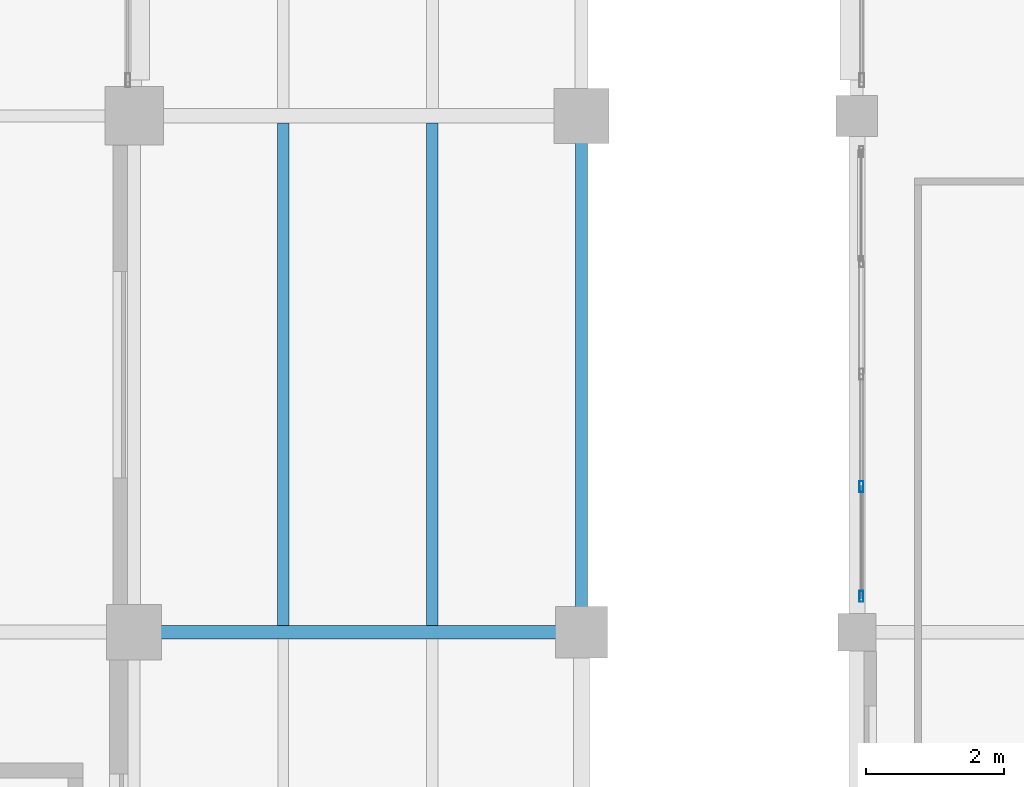
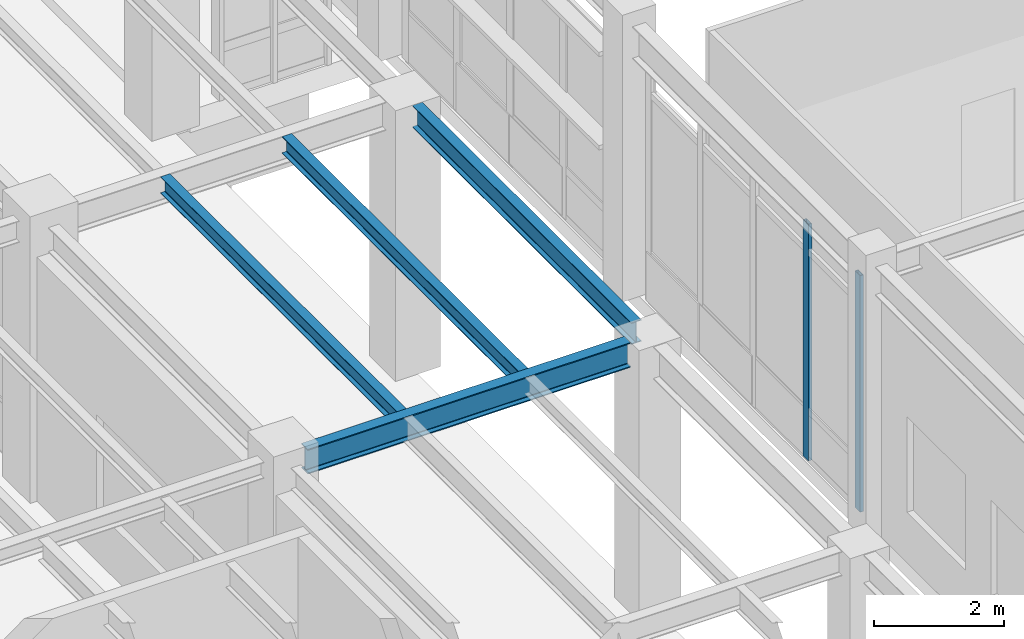
# One storey, part 106 of 203: 4 beams, 2 members, 1 element without a shape of its own.
"""IFC4 building model written with IfcOpenShell, lengths in metres."""

from ifc_helpers import new_model, si_unit, direction, frame, origin, origin_2d, place, context, subcontext, project, spatial, hollow_rectangle, i_section, extrude, material, material_profile, profile_set, type_object, element, aggregate, save


model = new_model("IFC4")

# Units and contexts
model_context = context("Model", 3, precision=1e-05, world=origin(), true_north=direction((0.0, 1.0)))
body_context = subcontext(model_context, "Body", "Model", "MODEL_VIEW")
ifc_project = project(units=[si_unit("LENGTHUNIT", "METRE"), si_unit("AREAUNIT", "SQUARE_METRE"), si_unit("VOLUMEUNIT", "CUBIC_METRE"), si_unit("PLANEANGLEUNIT", "RADIAN"), si_unit("MASSUNIT", "GRAM", prefix="KILO"), si_unit("THERMODYNAMICTEMPERATUREUNIT", "KELVIN"), si_unit("POWERUNIT", "WATT")], contexts=[model_context])

# Site, building, storey
site_placement = place(None, origin())
site = spatial("IfcSite", under=ifc_project, at=site_placement, CompositionType="ELEMENT")
building_placement = place(site_placement, origin())
building = spatial("IfcBuilding", under=site, at=building_placement, Name="Tepalcoro Natatorium and Aquatics Centre", CompositionType="ELEMENT")
storey_placement = place(building_placement, origin())
storey = spatial("IfcBuildingStorey", under=building, at=storey_placement, Name="L00", CompositionType="ELEMENT", Elevation=0.0)

# Beam
ifc_material_1 = material(Name="Steel ASTM A992 Grade 50 (Fy 345 MPa)", Category="steel")
ifc_material_profile_1 = material_profile(ifc_material_1, i_section(OverallWidth=0.193115234375, OverallDepth=0.467041015625, WebThickness=0.010986328125, FlangeThickness=0.01904296875, FilletRadius=0.013916015625, at=origin_2d()), Name="W18X65")
ifc_profile_set_1 = profile_set([ifc_material_profile_1], Name="Steel ASTM A992 Grade 50 (Fy 345 MPa)")
beam_type_1 = type_object("IfcBeamType", Name="BM_W18x65", PredefinedType="BEAM", material=ifc_profile_set_1)
beam_1_placement = place(storey_placement, frame((131.885009765625, 13.0, 4.8515625), z_axis=(1.0, 0.0, 0.0), x_axis=(0.0, 1.0, 0.0)))
element("IfcBeam", 1, at=beam_1_placement, inside=storey, type_object=beam_type_1, Name="V1 L00 Grid Girder X", PredefinedType="BEAM", context=body_context, shape_type="SweptSolid", body=[
    extrude(i_section(OverallWidth=0.193115234375, OverallDepth=0.467041015625, WebThickness=0.010986328125, FlangeThickness=0.01904296875, FilletRadius=0.013916015625, at=origin_2d()), origin(), (0.0, 0.0, 1.0), 5.7548828125),
])

# Curtain wall, members
ifc_material_2 = material(Name="Bronze-Anodised Extruded Aluminium Alloy EN AW-6063 T6", Category="aluminium")
curtain_wall_type = type_object("IfcCurtainWallType", Name="CW_LEAN_T1_NS", PredefinedType="USERDEFINED", material=ifc_material_2)
curtain_wall_placement = place(storey_placement, origin())
curtain_wall = element("IfcCurtainWall", 2, at=curtain_wall_placement, inside=storey, type_object=curtain_wall_type, Name="V2 L00 W Unitised Curtain Wall Bay 2", ObjectType="FACETED SOLAR GLAZING", PredefinedType="USERDEFINED")
ifc_material_profile_2 = material_profile(ifc_material_2, hollow_rectangle(XDim=0.06005859375, YDim=0.159912109375, WallThickness=0.00390625, at=origin_2d()), Name="AL60X160X4")
ifc_profile_set_2 = profile_set([ifc_material_profile_2], Name="Bronze-Anodised Extruded Aluminium Alloy EN AW-6063 T6")
member_type = type_object("IfcMemberType", Name="CW_MUL_60x160", PredefinedType="MULLION", material=ifc_profile_set_2)
member_1_placement = place(storey_placement, frame((142.06494140625, 13.52001953125, 0.02001953125), z_axis=(0.0, 0.0, 1.0), x_axis=(1.0, 0.0, 0.0)))
member_1 = element("IfcMember", 3, at=member_1_placement, type_object=member_type, Name="CW_LEAN_T1_NS Curtain Wall Mullion", PredefinedType="MULLION", context=body_context, shape_type="SweptSolid", body=[
    extrude(hollow_rectangle(XDim=0.06005859375, YDim=0.159912109375, WallThickness=0.00390625, at=origin_2d()), origin(), (0.0, 0.0, 1.0), 4.4580078125),
])
member_2_placement = place(storey_placement, frame((142.06494140625, 15.114990234375, 0.02001953125), z_axis=(0.0, 0.0, 1.0), x_axis=(1.0, 0.0, 0.0)))
member_2 = element("IfcMember", 4, at=member_2_placement, type_object=member_type, Name="CW_LEAN_T1_NS Curtain Wall Mullion", PredefinedType="MULLION", context=body_context, shape_type="SweptSolid", body=[
    extrude(hollow_rectangle(XDim=0.06005859375, YDim=0.159912109375, WallThickness=0.00390625, at=origin_2d()), origin(), (0.0, 0.0, 1.0), 4.4580078125),
])
aggregate(curtain_wall, [member_1, member_2])

# Beams
ifc_material_profile_3 = material_profile(ifc_material_1, i_section(OverallWidth=0.1650390625, OverallDepth=0.31005859375, WebThickness=0.006103515625, FlangeThickness=0.010009765625, FilletRadius=0.013916015625, at=origin_2d()), Name="W12X26")
ifc_profile_set_3 = profile_set([ifc_material_profile_3], Name="Steel ASTM A992 Grade 50 (Fy 345 MPa)")
beam_type_2 = type_object("IfcBeamType", Name="JS_W12x26", PredefinedType="JOIST", material=ifc_profile_set_3)
beam_2_placement = place(storey_placement, frame((133.666748046875, 13.096435546875, 4.929931640625), z_axis=(0.0, 1.0, 0.0), x_axis=(-1.0, 0.0, 0.0)))
element("IfcBeam", 5, at=beam_2_placement, inside=storey, type_object=beam_type_2, Name="V1 L00 Floor Joist", PredefinedType="JOIST", context=body_context, shape_type="SweptSolid", body=[
    extrude(i_section(OverallWidth=0.1650390625, OverallDepth=0.31005859375, WebThickness=0.006103515625, FlangeThickness=0.010009765625, FilletRadius=0.013916015625, at=origin_2d()), origin(), (0.0, 0.0, 1.0), 7.298583984375),
])
ifc_material_profile_4 = material_profile(ifc_material_1, i_section(OverallWidth=0.1669921875, OverallDepth=0.318115234375, WebThickness=0.008056640625, FlangeThickness=0.012939453125, FilletRadius=0.013916015625, at=origin_2d()), Name="W12X35")
ifc_profile_set_4 = profile_set([ifc_material_profile_4], Name="Steel ASTM A992 Grade 50 (Fy 345 MPa)")
beam_type_3 = type_object("IfcBeamType", Name="JS_W12x35", PredefinedType="JOIST", material=ifc_profile_set_4)
beam_3_placement = place(storey_placement, frame((135.833251953125, 13.096435546875, 4.926025390625), z_axis=(0.0, 1.0, 0.0), x_axis=(-1.0, 0.0, 0.0)))
element("IfcBeam", 6, at=beam_3_placement, inside=storey, type_object=beam_type_3, Name="V1 L00 Floor Joist", PredefinedType="JOIST", context=body_context, shape_type="SweptSolid", body=[
    extrude(i_section(OverallWidth=0.1669921875, OverallDepth=0.318115234375, WebThickness=0.008056640625, FlangeThickness=0.012939453125, FilletRadius=0.013916015625, at=origin_2d()), origin(), (0.0, 0.0, 1.0), 7.298583984375),
])
ifc_material_profile_5 = material_profile(ifc_material_1, i_section(OverallWidth=0.179931640625, OverallDepth=0.4130859375, WebThickness=0.010009765625, FlangeThickness=0.01611328125, FilletRadius=0.013916015625, at=origin_2d()), Name="W16X50")
ifc_profile_set_5 = profile_set([ifc_material_profile_5], Name="Steel ASTM A992 Grade 50 (Fy 345 MPa)")
beam_type_4 = type_object("IfcBeamType", Name="SP_HSS300x200x12", PredefinedType="SPANDREL", material=ifc_profile_set_5)
beam_4_placement = place(storey_placement, frame((138.0, 13.360107421875, 4.87841796875), z_axis=(0.0, 1.0, 0.0), x_axis=(-1.0, 0.0, 0.0)))
element("IfcBeam", 7, at=beam_4_placement, inside=storey, type_object=beam_type_4, Name="V1 L00 Grid Girder Y", PredefinedType="SPANDREL", context=body_context, shape_type="SweptSolid", body=[
    extrude(i_section(OverallWidth=0.179931640625, OverallDepth=0.4130859375, WebThickness=0.010009765625, FlangeThickness=0.01611328125, FilletRadius=0.013916015625, at=origin_2d()), origin(), (0.0, 0.0, 1.0), 6.7548828125),
])

save(model, "model.ifc")
